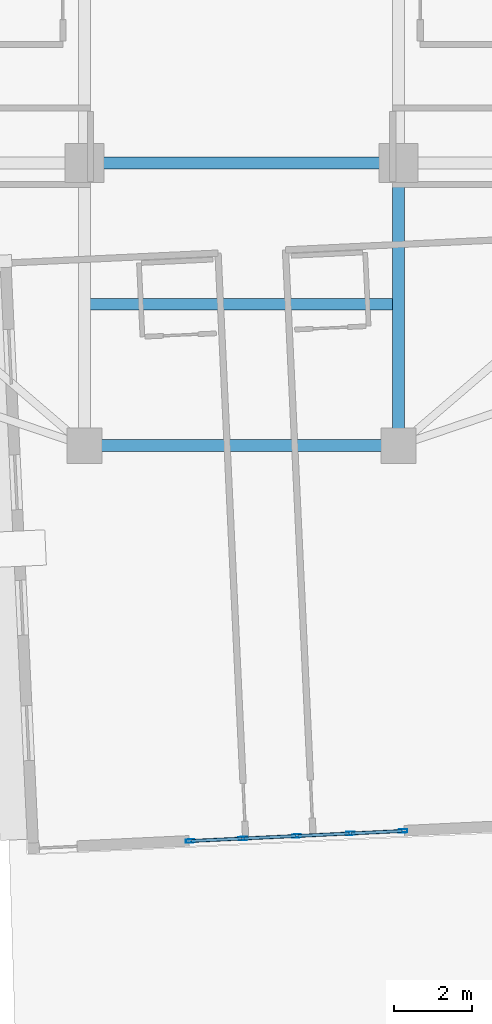
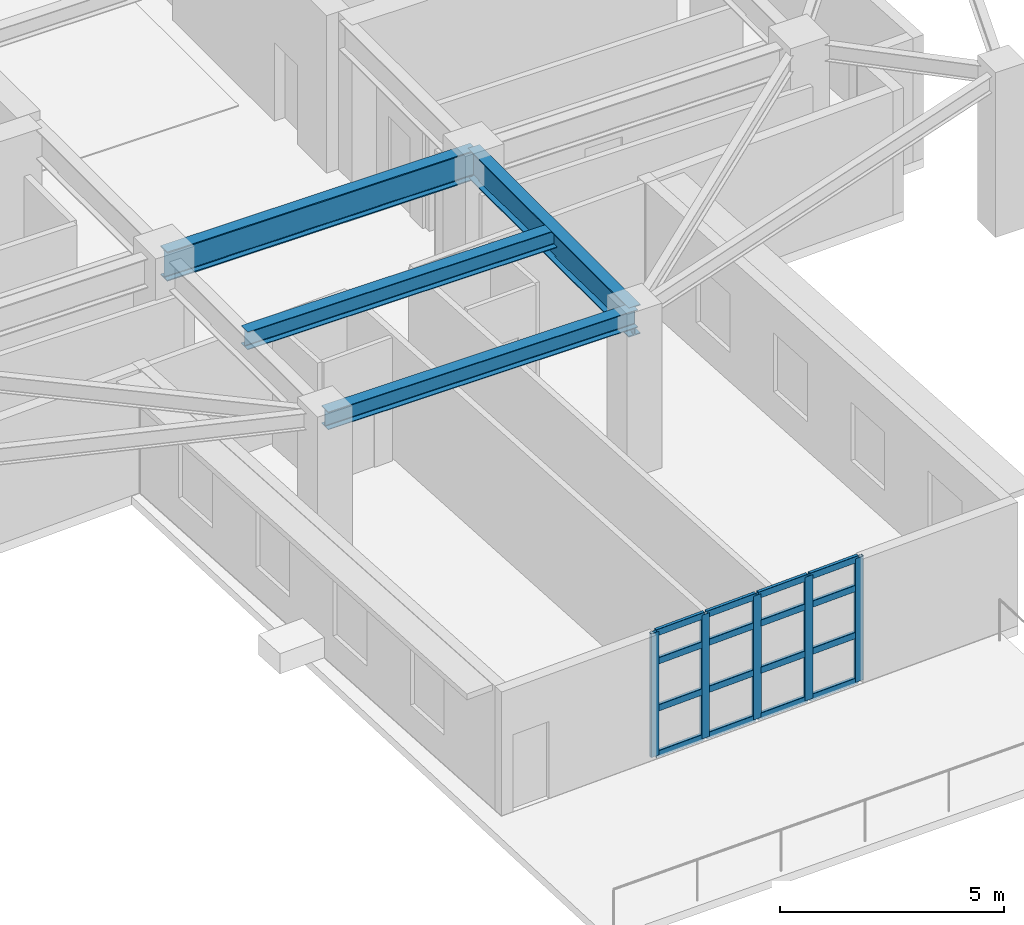
# One storey, part 4 of 22: 21 members, 4 beams, 1 element without a shape of its own.
"""IFC4 building model written with IfcOpenShell, lengths in metres."""

from ifc_helpers import new_model, si_unit, direction, frame, origin, origin_2d, place, context, subcontext, project, spatial, hollow_rectangle, i_section, extrude, material, layer, layer_set, material_profile, profile_set, type_object, element, aggregate, save


model = new_model("IFC4")

# Units and contexts
model_context = context("Model", 3, precision=1e-05, world=origin(), true_north=direction((0.0, 1.0)))
body_context = subcontext(model_context, "Body", "Model", "MODEL_VIEW")
ifc_project = project(units=[si_unit("LENGTHUNIT", "METRE"), si_unit("AREAUNIT", "SQUARE_METRE"), si_unit("VOLUMEUNIT", "CUBIC_METRE"), si_unit("PLANEANGLEUNIT", "RADIAN"), si_unit("MASSUNIT", "GRAM", prefix="KILO")], contexts=[model_context])

# Site, building, storey
site_placement = place(None, origin())
site = spatial("IfcSite", under=ifc_project, at=site_placement, CompositionType="ELEMENT")
building_placement = place(site_placement, origin())
building = spatial("IfcBuilding", under=site, at=building_placement, Name="Qingluan Cross Belvedere", CompositionType="ELEMENT")
storey_placement = place(building_placement, frame((0.0, 0.0, 196.800048828125)))
storey = spatial("IfcBuildingStorey", under=building, at=storey_placement, Name="L49", CompositionType="ELEMENT", Elevation=196.800048828125)

# Curtain wall, members
ifc_material_1 = material(Name="Thermally broken aluminium and Low-E glass", Category="aluminium")
ifc_layer = layer(ifc_material_1, 0.219970703125, Name="UnitisedCW_SkyLobbyHigh")
ifc_layer_set = layer_set([ifc_layer], Name="Thermally broken aluminium and Low-E glass")
curtain_wall_type = type_object("IfcCurtainWallType", Name="UnitisedCW_SkyLobbyHigh", PredefinedType="USERDEFINED", material=ifc_layer_set)
curtain_wall_placement = place(storey_placement, origin())
curtain_wall = element("IfcCurtainWall", 1, at=curtain_wall_placement, inside=storey, type_object=curtain_wall_type, Name="UnitisedCW_SkyLobbyHigh run env:cw:L49:S", ObjectType="UNITISED CURTAIN WALL", PredefinedType="USERDEFINED")
ifc_material_2 = material(Name="Aluminium alloy 6063-T6", Category="aluminium")
ifc_material_profile_1 = material_profile(ifc_material_2, hollow_rectangle(XDim=0.0849609375, YDim=0.219970703125, WallThickness=0.0048828125, InnerFilletRadius=0.0048828125, OuterFilletRadius=0.010009765625, at=origin_2d()), Name="CWM220x85x5")
ifc_profile_set_1 = profile_set([ifc_material_profile_1], Name="Aluminium alloy 6063-T6")
member_type_1 = type_object("IfcMemberType", Name="CWMullion_220", PredefinedType="MULLION", material=ifc_profile_set_1)
member_1_placement = place(storey_placement, frame((-1.308349609375, -29.874755859375, 0.0), z_axis=(0.0, 0.0, 1.0), x_axis=(-0.04710198597, 0.998890085504, 0.0)))
member_1 = element("IfcMember", 2, at=member_1_placement, type_object=member_type_1, Name="CW-S2 mullion 1", PredefinedType="MULLION", context=body_context, shape_type="SweptSolid", body=[
    extrude(hollow_rectangle(XDim=0.0849609375, YDim=0.219970703125, WallThickness=0.0048828125, InnerFilletRadius=0.0048828125, OuterFilletRadius=0.010009765625, at=origin_2d()), origin(), (0.0, 0.0, 1.0), 3.3798828125),
])
member_2_placement = place(storey_placement, frame((0.0322265625, -29.8115234375, 0.0), z_axis=(0.0, 0.0, 1.0), x_axis=(-0.04710198597, 0.998890085504, 0.0)))
member_2 = element("IfcMember", 3, at=member_2_placement, type_object=member_type_1, Name="CW-S2 mullion 2", PredefinedType="MULLION", context=body_context, shape_type="SweptSolid", body=[
    extrude(hollow_rectangle(XDim=0.0849609375, YDim=0.219970703125, WallThickness=0.0048828125, InnerFilletRadius=0.0048828125, OuterFilletRadius=0.010009765625, at=origin_2d()), origin(), (0.0, 0.0, 1.0), 3.3798828125),
])
member_3_placement = place(storey_placement, frame((1.40283203125, -29.7470703125, 0.0), z_axis=(0.0, 0.0, 1.0), x_axis=(-0.04710198597, 0.998890085504, 0.0)))
member_3 = element("IfcMember", 4, at=member_3_placement, type_object=member_type_1, Name="CW-S2 mullion 3", PredefinedType="MULLION", context=body_context, shape_type="SweptSolid", body=[
    extrude(hollow_rectangle(XDim=0.0849609375, YDim=0.219970703125, WallThickness=0.0048828125, InnerFilletRadius=0.0048828125, OuterFilletRadius=0.010009765625, at=origin_2d()), origin(), (0.0, 0.0, 1.0), 3.3798828125),
])
member_4_placement = place(storey_placement, frame((2.773193359375, -29.682373046875, 0.0), z_axis=(0.0, 0.0, 1.0), x_axis=(-0.04710198597, 0.998890085504, 0.0)))
member_4 = element("IfcMember", 5, at=member_4_placement, type_object=member_type_1, Name="CW-S2 mullion 4", PredefinedType="MULLION", context=body_context, shape_type="SweptSolid", body=[
    extrude(hollow_rectangle(XDim=0.0849609375, YDim=0.219970703125, WallThickness=0.0048828125, InnerFilletRadius=0.0048828125, OuterFilletRadius=0.010009765625, at=origin_2d()), origin(), (0.0, 0.0, 1.0), 3.3798828125),
])
member_5_placement = place(storey_placement, frame((4.11376953125, -29.619140625, 0.0), z_axis=(0.0, 0.0, 1.0), x_axis=(-0.04710198597, 0.998890085504, 0.0)))
member_5 = element("IfcMember", 6, at=member_5_placement, type_object=member_type_1, Name="CW-S2 mullion 5", PredefinedType="MULLION", context=body_context, shape_type="SweptSolid", body=[
    extrude(hollow_rectangle(XDim=0.0849609375, YDim=0.219970703125, WallThickness=0.0048828125, InnerFilletRadius=0.0048828125, OuterFilletRadius=0.010009765625, at=origin_2d()), origin(), (0.0, 0.0, 1.0), 3.3798828125),
])
ifc_material_3 = material(Name="Aluminium alloy 6063-T6", Category="aluminium")
ifc_material_profile_2 = material_profile(ifc_material_3, hollow_rectangle(XDim=0.0849609375, YDim=0.179931640625, WallThickness=0.00390625, InnerFilletRadius=0.00390625, OuterFilletRadius=0.008056640625, at=origin_2d()), Name="CWT180x85x4")
ifc_profile_set_2 = profile_set([ifc_material_profile_2], Name="Aluminium alloy 6063-T6")
member_type_2 = type_object("IfcMemberType", Name="CWTransom_180", PredefinedType="USERDEFINED", material=ifc_profile_set_2)
member_6_placement = place(storey_placement, frame((-1.2783203125, -29.873291015625, 0.030029296875), z_axis=(0.998893411902, 0.047031390152, 0.0), x_axis=(-0.047031390152, 0.998893411902, 0.0)))
member_6 = element("IfcMember", 7, at=member_6_placement, type_object=member_type_2, Name="CW-S2 transom 1.1", ObjectType="TRANSOM", PredefinedType="USERDEFINED", context=body_context, shape_type="SweptSolid", body=[
    extrude(hollow_rectangle(XDim=0.0849609375, YDim=0.179931640625, WallThickness=0.00390625, InnerFilletRadius=0.00390625, OuterFilletRadius=0.008056640625, at=origin_2d()), origin(), (0.0, 0.0, 1.0), 1.2822265625),
])
member_7_placement = place(storey_placement, frame((-1.2783203125, -29.873291015625, 1.283935546875), z_axis=(0.998893411902, 0.047031390152, 0.0), x_axis=(-0.047031390152, 0.998893411902, 0.0)))
member_7 = element("IfcMember", 8, at=member_7_placement, type_object=member_type_2, Name="CW-S2 transom 1.2", ObjectType="TRANSOM", PredefinedType="USERDEFINED", context=body_context, shape_type="SweptSolid", body=[
    extrude(hollow_rectangle(XDim=0.0849609375, YDim=0.179931640625, WallThickness=0.00390625, InnerFilletRadius=0.00390625, OuterFilletRadius=0.008056640625, at=origin_2d()), origin(), (0.0, 0.0, 1.0), 1.2822265625),
])
member_8_placement = place(storey_placement, frame((-1.2783203125, -29.873291015625, 2.56884765625), z_axis=(0.998893411902, 0.047031390152, 0.0), x_axis=(-0.047031390152, 0.998893411902, 0.0)))
member_8 = element("IfcMember", 9, at=member_8_placement, type_object=member_type_2, Name="CW-S2 transom 1.3", ObjectType="TRANSOM", PredefinedType="USERDEFINED", context=body_context, shape_type="SweptSolid", body=[
    extrude(hollow_rectangle(XDim=0.0849609375, YDim=0.179931640625, WallThickness=0.00390625, InnerFilletRadius=0.00390625, OuterFilletRadius=0.008056640625, at=origin_2d()), origin(), (0.0, 0.0, 1.0), 1.2822265625),
])
member_9_placement = place(storey_placement, frame((-1.2783203125, -29.873291015625, 3.349853515625), z_axis=(0.998893411902, 0.047031390152, 0.0), x_axis=(-0.047031390152, 0.998893411902, 0.0)))
member_9 = element("IfcMember", 10, at=member_9_placement, type_object=member_type_2, Name="CW-S2 transom 1.4", ObjectType="TRANSOM", PredefinedType="USERDEFINED", context=body_context, shape_type="SweptSolid", body=[
    extrude(hollow_rectangle(XDim=0.0849609375, YDim=0.179931640625, WallThickness=0.00390625, InnerFilletRadius=0.00390625, OuterFilletRadius=0.008056640625, at=origin_2d()), origin(), (0.0, 0.0, 1.0), 1.2822265625),
])
member_10_placement = place(storey_placement, frame((0.062255859375, -29.81005859375, 0.030029296875), z_axis=(0.998891174437, 0.04707888732, 0.0), x_axis=(-0.04707888732, 0.998891174437, 0.0)))
member_10 = element("IfcMember", 11, at=member_10_placement, type_object=member_type_2, Name="CW-S2 transom 2.1", ObjectType="TRANSOM", PredefinedType="USERDEFINED", context=body_context, shape_type="SweptSolid", body=[
    extrude(hollow_rectangle(XDim=0.0849609375, YDim=0.179931640625, WallThickness=0.00390625, InnerFilletRadius=0.00390625, OuterFilletRadius=0.008056640625, at=origin_2d()), origin(), (0.0, 0.0, 1.0), 1.31201171875),
])
member_11_placement = place(storey_placement, frame((0.062255859375, -29.81005859375, 1.283935546875), z_axis=(0.998891174437, 0.04707888732, 0.0), x_axis=(-0.04707888732, 0.998891174437, 0.0)))
member_11 = element("IfcMember", 12, at=member_11_placement, type_object=member_type_2, Name="CW-S2 transom 2.2", ObjectType="TRANSOM", PredefinedType="USERDEFINED", context=body_context, shape_type="SweptSolid", body=[
    extrude(hollow_rectangle(XDim=0.0849609375, YDim=0.179931640625, WallThickness=0.00390625, InnerFilletRadius=0.00390625, OuterFilletRadius=0.008056640625, at=origin_2d()), origin(), (0.0, 0.0, 1.0), 1.31201171875),
])
member_12_placement = place(storey_placement, frame((0.062255859375, -29.81005859375, 2.56884765625), z_axis=(0.998891174437, 0.04707888732, 0.0), x_axis=(-0.04707888732, 0.998891174437, 0.0)))
member_12 = element("IfcMember", 13, at=member_12_placement, type_object=member_type_2, Name="CW-S2 transom 2.3", ObjectType="TRANSOM", PredefinedType="USERDEFINED", context=body_context, shape_type="SweptSolid", body=[
    extrude(hollow_rectangle(XDim=0.0849609375, YDim=0.179931640625, WallThickness=0.00390625, InnerFilletRadius=0.00390625, OuterFilletRadius=0.008056640625, at=origin_2d()), origin(), (0.0, 0.0, 1.0), 1.31201171875),
])
member_13_placement = place(storey_placement, frame((0.062255859375, -29.81005859375, 3.349853515625), z_axis=(0.998891174437, 0.04707888732, 0.0), x_axis=(-0.04707888732, 0.998891174437, 0.0)))
member_13 = element("IfcMember", 14, at=member_13_placement, type_object=member_type_2, Name="CW-S2 transom 2.4", ObjectType="TRANSOM", PredefinedType="USERDEFINED", context=body_context, shape_type="SweptSolid", body=[
    extrude(hollow_rectangle(XDim=0.0849609375, YDim=0.179931640625, WallThickness=0.00390625, InnerFilletRadius=0.00390625, OuterFilletRadius=0.008056640625, at=origin_2d()), origin(), (0.0, 0.0, 1.0), 1.31201171875),
])
member_14_placement = place(storey_placement, frame((1.432861328125, -29.74560546875, 0.030029296875), z_axis=(0.998891174437, 0.04707888732, 0.0), x_axis=(-0.04707888732, 0.998891174437, 0.0)))
member_14 = element("IfcMember", 15, at=member_14_placement, type_object=member_type_2, Name="CW-S2 transom 3.1", ObjectType="TRANSOM", PredefinedType="USERDEFINED", context=body_context, shape_type="SweptSolid", body=[
    extrude(hollow_rectangle(XDim=0.0849609375, YDim=0.179931640625, WallThickness=0.00390625, InnerFilletRadius=0.00390625, OuterFilletRadius=0.008056640625, at=origin_2d()), origin(), (0.0, 0.0, 1.0), 1.31201171875),
])
member_15_placement = place(storey_placement, frame((1.432861328125, -29.74560546875, 1.283935546875), z_axis=(0.998891174437, 0.04707888732, 0.0), x_axis=(-0.04707888732, 0.998891174437, 0.0)))
member_15 = element("IfcMember", 16, at=member_15_placement, type_object=member_type_2, Name="CW-S2 transom 3.2", ObjectType="TRANSOM", PredefinedType="USERDEFINED", context=body_context, shape_type="SweptSolid", body=[
    extrude(hollow_rectangle(XDim=0.0849609375, YDim=0.179931640625, WallThickness=0.00390625, InnerFilletRadius=0.00390625, OuterFilletRadius=0.008056640625, at=origin_2d()), origin(), (0.0, 0.0, 1.0), 1.31201171875),
])
member_16_placement = place(storey_placement, frame((1.432861328125, -29.74560546875, 2.56884765625), z_axis=(0.998891174437, 0.04707888732, 0.0), x_axis=(-0.04707888732, 0.998891174437, 0.0)))
member_16 = element("IfcMember", 17, at=member_16_placement, type_object=member_type_2, Name="CW-S2 transom 3.3", ObjectType="TRANSOM", PredefinedType="USERDEFINED", context=body_context, shape_type="SweptSolid", body=[
    extrude(hollow_rectangle(XDim=0.0849609375, YDim=0.179931640625, WallThickness=0.00390625, InnerFilletRadius=0.00390625, OuterFilletRadius=0.008056640625, at=origin_2d()), origin(), (0.0, 0.0, 1.0), 1.31201171875),
])
member_17_placement = place(storey_placement, frame((1.432861328125, -29.74560546875, 3.349853515625), z_axis=(0.998891174437, 0.04707888732, 0.0), x_axis=(-0.04707888732, 0.998891174437, 0.0)))
member_17 = element("IfcMember", 18, at=member_17_placement, type_object=member_type_2, Name="CW-S2 transom 3.4", ObjectType="TRANSOM", PredefinedType="USERDEFINED", context=body_context, shape_type="SweptSolid", body=[
    extrude(hollow_rectangle(XDim=0.0849609375, YDim=0.179931640625, WallThickness=0.00390625, InnerFilletRadius=0.00390625, OuterFilletRadius=0.008056640625, at=origin_2d()), origin(), (0.0, 0.0, 1.0), 1.31201171875),
])
member_18_placement = place(storey_placement, frame((2.80322265625, -29.680908203125, 0.030029296875), z_axis=(0.998893411902, 0.047031390152, 0.0), x_axis=(-0.047031390152, 0.998893411902, 0.0)))
member_18 = element("IfcMember", 19, at=member_18_placement, type_object=member_type_2, Name="CW-S2 transom 4.1", ObjectType="TRANSOM", PredefinedType="USERDEFINED", context=body_context, shape_type="SweptSolid", body=[
    extrude(hollow_rectangle(XDim=0.0849609375, YDim=0.179931640625, WallThickness=0.00390625, InnerFilletRadius=0.00390625, OuterFilletRadius=0.008056640625, at=origin_2d()), origin(), (0.0, 0.0, 1.0), 1.2822265625),
])
member_19_placement = place(storey_placement, frame((2.80322265625, -29.680908203125, 1.283935546875), z_axis=(0.998893411902, 0.047031390152, 0.0), x_axis=(-0.047031390152, 0.998893411902, 0.0)))
member_19 = element("IfcMember", 20, at=member_19_placement, type_object=member_type_2, Name="CW-S2 transom 4.2", ObjectType="TRANSOM", PredefinedType="USERDEFINED", context=body_context, shape_type="SweptSolid", body=[
    extrude(hollow_rectangle(XDim=0.0849609375, YDim=0.179931640625, WallThickness=0.00390625, InnerFilletRadius=0.00390625, OuterFilletRadius=0.008056640625, at=origin_2d()), origin(), (0.0, 0.0, 1.0), 1.2822265625),
])
member_20_placement = place(storey_placement, frame((2.80322265625, -29.680908203125, 2.56884765625), z_axis=(0.998893411902, 0.047031390152, 0.0), x_axis=(-0.047031390152, 0.998893411902, 0.0)))
member_20 = element("IfcMember", 21, at=member_20_placement, type_object=member_type_2, Name="CW-S2 transom 4.3", ObjectType="TRANSOM", PredefinedType="USERDEFINED", context=body_context, shape_type="SweptSolid", body=[
    extrude(hollow_rectangle(XDim=0.0849609375, YDim=0.179931640625, WallThickness=0.00390625, InnerFilletRadius=0.00390625, OuterFilletRadius=0.008056640625, at=origin_2d()), origin(), (0.0, 0.0, 1.0), 1.2822265625),
])
member_21_placement = place(storey_placement, frame((2.80322265625, -29.680908203125, 3.349853515625), z_axis=(0.998893411902, 0.047031390152, 0.0), x_axis=(-0.047031390152, 0.998893411902, 0.0)))
member_21 = element("IfcMember", 22, at=member_21_placement, type_object=member_type_2, Name="CW-S2 transom 4.4", ObjectType="TRANSOM", PredefinedType="USERDEFINED", context=body_context, shape_type="SweptSolid", body=[
    extrude(hollow_rectangle(XDim=0.0849609375, YDim=0.179931640625, WallThickness=0.00390625, InnerFilletRadius=0.00390625, OuterFilletRadius=0.008056640625, at=origin_2d()), origin(), (0.0, 0.0, 1.0), 1.2822265625),
])
aggregate(curtain_wall, [member_1, member_2, member_3, member_4, member_5, member_6, member_7, member_8, member_9, member_10, member_11, member_12, member_13, member_14, member_15, member_16, member_17, member_18, member_19, member_20, member_21])

# Beams
ifc_material_4 = material(Name="Steel Q420GJB", Category="steel")
ifc_material_profile_3 = material_profile(ifc_material_4, i_section(OverallWidth=0.300048828125, OverallDepth=0.488037109375, WebThickness=0.010986328125, FlangeThickness=0.01806640625, FilletRadius=0.02197265625, at=origin_2d()), Name="HM488x300x11x18")
ifc_profile_set_3 = profile_set([ifc_material_profile_3], Name="Steel Q420GJB")
beam_type_1 = type_object("IfcBeamType", Name="Steel_Beam_HM488x300x11x18", PredefinedType="BEAM", material=ifc_profile_set_3)
for number, where, z_axis, x_axis, name in (
    (23, (-4.0, -19.800048828125, 4.055908203125), (1.0, 0.0, 0.0), (0.0, 1.0, 0.0), "Arm S tie L49"),
    (24, (-4.0, -16.199951171875, 4.055908203125), (1.0, 0.0, 0.0), (0.0, 1.0, 0.0), "Arm S beam L49"),
):
    element("IfcBeam", number, at=place(storey_placement, frame(where, z_axis=z_axis, x_axis=x_axis)), inside=storey, type_object=beam_type_1, Name=name, PredefinedType="BEAM", context=body_context, shape_type="SweptSolid", body=[
        extrude(i_section(OverallWidth=0.300048828125, OverallDepth=0.488037109375, WebThickness=0.010986328125, FlangeThickness=0.01806640625, FilletRadius=0.02197265625, at=origin_2d()), origin(), (0.0, 0.0, 1.0), 8.0),
    ])
ifc_material_5 = material(Name="Steel Q420GJB", Category="steel")
ifc_material_profile_4 = material_profile(ifc_material_5, i_section(OverallWidth=0.300048828125, OverallDepth=0.800048828125, WebThickness=0.015380859375, FlangeThickness=0.028076171875, FilletRadius=0.030029296875, at=origin_2d()), Name="HEB800")
ifc_profile_set_4 = profile_set([ifc_material_profile_4], Name="Steel Q420GJB")
beam_type_2 = type_object("IfcBeamType", Name="Steel_Girder_HEB800", PredefinedType="USERDEFINED", material=ifc_profile_set_4)
beam_1_placement = place(storey_placement, frame((-4.0, -12.60009765625, 3.89990234375), z_axis=(1.0, 0.0, 0.0), x_axis=(0.0, 1.0, 0.0)))
element("IfcBeam", 25, at=beam_1_placement, inside=storey, type_object=beam_type_2, Name="Hub girder L49-HG-S2", ObjectType="GIRDER", PredefinedType="USERDEFINED", context=body_context, shape_type="SweptSolid", body=[
    extrude(i_section(OverallWidth=0.300048828125, OverallDepth=0.800048828125, WebThickness=0.015380859375, FlangeThickness=0.028076171875, FilletRadius=0.030029296875, at=origin_2d()), origin(), (0.0, 0.0, 1.0), 8.0),
])
beam_2_placement = place(storey_placement, frame((4.0, -12.60009765625, 3.89990234375), z_axis=(0.0, -1.0, 0.0), x_axis=(1.0, 0.0, 0.0)))
element("IfcBeam", 26, at=beam_2_placement, inside=storey, type_object=beam_type_2, Name="Arm S radial girder B L49", ObjectType="GIRDER", PredefinedType="USERDEFINED", context=body_context, shape_type="SweptSolid", body=[
    extrude(i_section(OverallWidth=0.300048828125, OverallDepth=0.800048828125, WebThickness=0.015380859375, FlangeThickness=0.028076171875, FilletRadius=0.030029296875, at=origin_2d()), origin(), (0.0, 0.0, 1.0), 7.199951171875),
])

save(model, "model.ifc")
